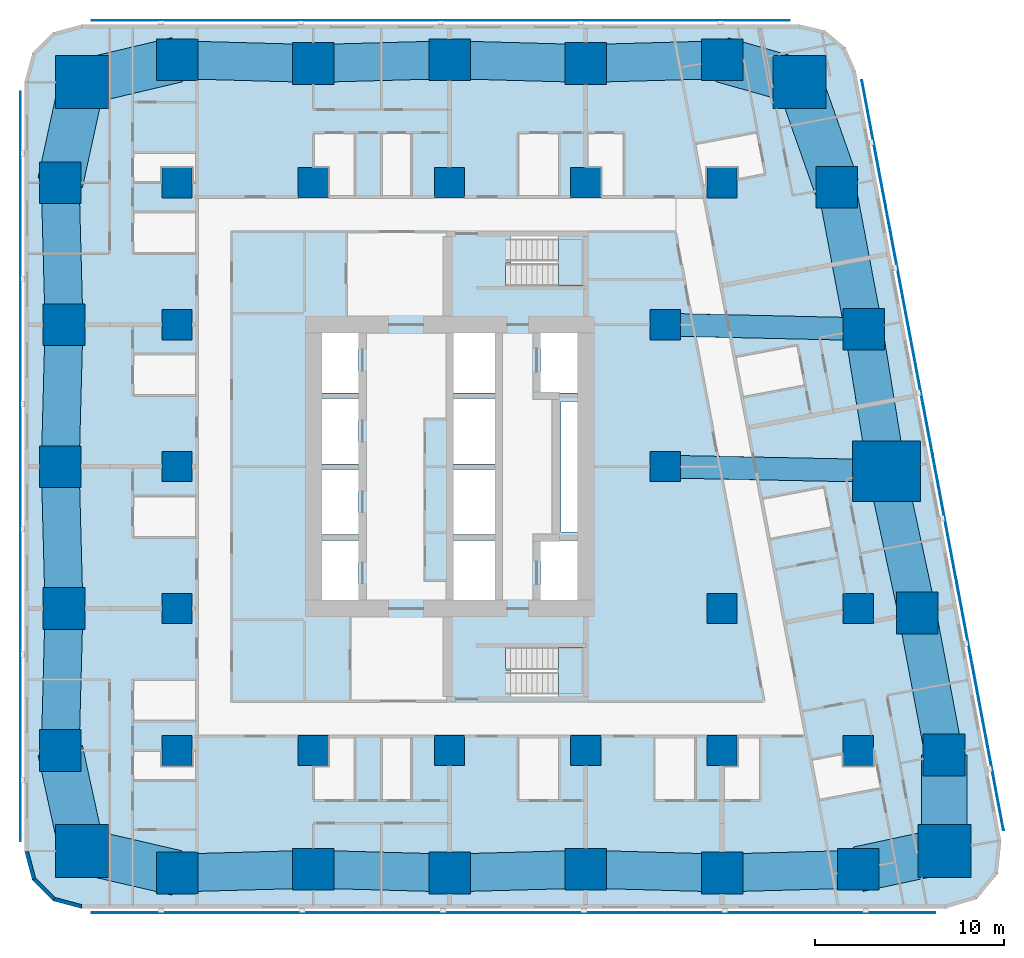
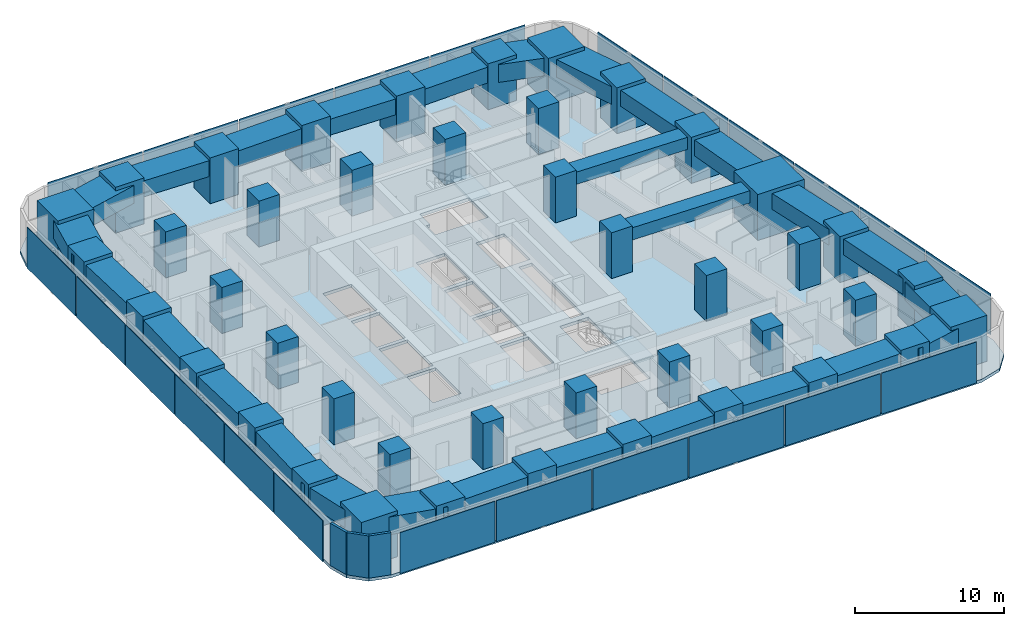
# One storey, part 1 of 14: 43 columns, 27 beams, 23 plates, 3 slabs, 3 walls, 2 elements without a shape of their own.
"""IFC4 building model written with IfcOpenShell, lengths in metres."""

from ifc_helpers import new_model, si_unit, direction, frame, frame_2d, origin, origin_2d, place, context, subcontext, project, spatial, polyline, rectangle, outline, extrude, material, layer, layer_set, material_profile, profile_set, type_object, element, aggregate, save


model = new_model("IFC4")

# Units and contexts
model_context = context("Model", 3, precision=1e-05, world=origin(), true_north=direction((0.0, 1.0)))
body_context = subcontext(model_context, "Body", "Model", "MODEL_VIEW")
ifc_project = project(units=[si_unit("LENGTHUNIT", "METRE"), si_unit("AREAUNIT", "SQUARE_METRE"), si_unit("VOLUMEUNIT", "CUBIC_METRE"), si_unit("PLANEANGLEUNIT", "RADIAN"), si_unit("MASSUNIT", "GRAM", prefix="KILO")], contexts=[model_context])

# Site, building, storey
site_placement = place(None, origin())
site = spatial("IfcSite", under=ifc_project, at=site_placement, CompositionType="ELEMENT")
building_placement = place(site_placement, origin())
building = spatial("IfcBuilding", under=site, at=building_placement, Name="Sheger Commons Tower", CompositionType="ELEMENT")
storey_placement = place(building_placement, frame((0.0, 0.0, 126.64990234375)))
storey = spatial("IfcBuildingStorey", under=building, at=storey_placement, Name="L32", CompositionType="ELEMENT", Elevation=126.64990234375)

# Columns
ifc_material_1 = material(Name="Concrete C50/60", Category="concrete")
ifc_material_profile_1 = material_profile(ifc_material_1, rectangle(XDim=3.60009765625, YDim=3.199951171875, at=origin_2d()), Name="RC 3600x3200")
ifc_profile_set_1 = profile_set([ifc_material_profile_1], Name="Concrete C50/60")
column_type_1 = type_object("IfcColumnType", Name="COLUMN PIER RC 3600x3200", PredefinedType="COLUMN", material=ifc_profile_set_1)
column_placement = place(storey_placement, frame((44.697021484375, 22.262939453125, 0.0), z_axis=(0.0, 0.0, 1.0), x_axis=(1.0, 0.0, 0.0)))
element("IfcColumn", 1, at=column_placement, inside=storey, type_object=column_type_1, Name="Pier 7/D+E/D L32", PredefinedType="COLUMN", context=body_context, shape_type="SweptSolid", body=[
    extrude(rectangle(XDim=3.60009765625, YDim=3.199951171875, at=origin_2d()), origin(), (0.0, 0.0, 1.0), 3.75),
])
ifc_material_2 = material(Name="Concrete C50/60", Category="concrete")
ifc_material_profile_2 = material_profile(ifc_material_2, rectangle(XDim=1.60009765625, YDim=1.60009765625, at=origin_2d()), Name="RC 1600x1600")
ifc_profile_set_2 = profile_set([ifc_material_profile_2], Name="Concrete C50/60")
column_type_2 = type_object("IfcColumnType", Name="COLUMN RC 1600x1600", PredefinedType="COLUMN", material=ifc_profile_set_2)
for number, where, z_axis, x_axis, name in (
    (2, (7.199951171875, 7.5, 0.0), (0.0, 0.0, 1.0), (1.0, 0.0, 0.0), "Column 2/B L32"),
    (3, (14.39990234375, 7.5, 0.0), (0.0, 0.0, 1.0), (1.0, 0.0, 0.0), "Column 3/B L32"),
    (4, (21.60009765625, 7.5, 0.0), (0.0, 0.0, 1.0), (1.0, 0.0, 0.0), "Column 4/B L32"),
    (5, (28.800048828125, 7.5, 0.0), (0.0, 0.0, 1.0), (1.0, 0.0, 0.0), "Column 5/B L32"),
    (6, (36.0, 7.5, 0.0), (0.0, 0.0, 1.0), (1.0, 0.0, 0.0), "Column 6/B L32"),
    (7, (43.199951171875, 7.5, 0.0), (0.0, 0.0, 1.0), (1.0, 0.0, 0.0), "Column 7/B L32"),
    (8, (7.199951171875, 15.0, 0.0), (0.0, 0.0, 1.0), (1.0, 0.0, 0.0), "Column 2/C L32"),
    (9, (36.0, 15.0, 0.0), (0.0, 0.0, 1.0), (1.0, 0.0, 0.0), "Column 6/C L32"),
    (10, (43.199951171875, 15.0, 0.0), (0.0, 0.0, 1.0), (1.0, 0.0, 0.0), "Column 7/C L32"),
    (11, (7.199951171875, 22.5, 0.0), (0.0, 0.0, 1.0), (1.0, 0.0, 0.0), "Column 2/D L32"),
    (12, (33.0, 22.5, 0.0), (0.0, 0.0, 1.0), (1.0, 0.0, 0.0), "Column 6-3000/D L32"),
    (13, (7.199951171875, 30.0, 0.0), (0.0, 0.0, 1.0), (1.0, 0.0, 0.0), "Column 2/E L32"),
    (14, (33.0, 30.0, 0.0), (0.0, 0.0, 1.0), (1.0, 0.0, 0.0), "Column 6-3000/E L32"),
    (15, (7.199951171875, 37.5, 0.0), (0.0, 0.0, 1.0), (1.0, 0.0, 0.0), "Column 2/F L32"),
    (16, (14.39990234375, 37.5, 0.0), (0.0, 0.0, 1.0), (1.0, 0.0, 0.0), "Column 3/F L32"),
    (17, (21.60009765625, 37.5, 0.0), (0.0, 0.0, 1.0), (1.0, 0.0, 0.0), "Column 4/F L32"),
    (18, (28.800048828125, 37.5, 0.0), (0.0, 0.0, 1.0), (1.0, 0.0, 0.0), "Column 5/F L32"),
    (19, (36.0, 37.5, 0.0), (0.0, 0.0, 1.0), (1.0, 0.0, 0.0), "Column 6/F L32"),
):
    element("IfcColumn", number, at=place(storey_placement, frame(where, z_axis=z_axis, x_axis=x_axis)), inside=storey, type_object=column_type_2, Name=name, PredefinedType="COLUMN", context=body_context, shape_type="SweptSolid", body=[
        extrude(rectangle(XDim=1.60009765625, YDim=1.60009765625, at=origin_2d()), origin(), (0.0, 0.0, 1.0), 3.75),
    ])
ifc_material_3 = material(Name="Concrete C50/60", Category="concrete")
ifc_material_profile_3 = material_profile(ifc_material_3, rectangle(XDim=2.199951171875, YDim=2.199951171875, at=origin_2d()), Name="RC 2200x2200")
ifc_profile_set_3 = profile_set([ifc_material_profile_3], Name="Concrete C50/60")
column_type_3 = type_object("IfcColumnType", Name="COLUMN RC 2200x2200", PredefinedType="COLUMN", material=ifc_profile_set_3)
for number, where, z_axis, x_axis, name in (
    (20, (7.199951171875, 1.02490234375, 0.0), (0.0, 0.0, 1.0), (1.0, 0.0, 0.0), "Column 2/A L32"),
    (21, (14.39990234375, 1.22509765625, 0.0), (0.0, 0.0, 1.0), (1.0, 0.0, 0.0), "Column 3/A L32"),
    (22, (21.60009765625, 1.02490234375, 0.0), (0.0, 0.0, 1.0), (1.0, 0.0, 0.0), "Column 4/A L32"),
    (23, (28.800048828125, 1.22509765625, 0.0), (0.0, 0.0, 1.0), (1.0, 0.0, 0.0), "Column 5/A L32"),
    (24, (36.0, 1.02490234375, 0.0), (0.0, 0.0, 1.0), (1.0, 0.0, 0.0), "Column 6/A L32"),
    (25, (43.199951171875, 1.22509765625, 0.0), (0.0, 0.0, 1.0), (1.0, 0.0, 0.0), "Column 7/A L32"),
    (26, (1.02490234375, 7.5, 0.0), (0.0, 0.0, 1.0), (1.0, 0.0, 0.0), "Column 1/B L32"),
    (27, (47.72998046875, 7.262939453125, 0.0), (0.0, 0.0, 1.0), (1.0, 0.0, 0.0), "Column E/B L32"),
    (28, (1.22509765625, 15.0, 0.0), (0.0, 0.0, 1.0), (1.0, 0.0, 0.0), "Column 1/C L32"),
    (29, (46.31396484375, 14.762939453125, 0.0), (0.0, 0.0, 1.0), (1.0, 0.0, 0.0), "Column E/C L32"),
    (30, (1.02490234375, 22.5, 0.0), (0.0, 0.0, 1.0), (1.0, 0.0, 0.0), "Column 1/D L32"),
    (31, (1.22509765625, 30.0, 0.0), (0.0, 0.0, 1.0), (1.0, 0.0, 0.0), "Column 1/E L32"),
    (32, (43.47998046875, 29.762939453125, 0.0), (0.0, 0.0, 1.0), (1.0, 0.0, 0.0), "Column E/E L32"),
    (33, (1.02490234375, 37.5, 0.0), (0.0, 0.0, 1.0), (1.0, 0.0, 0.0), "Column 1/F L32"),
    (34, (42.06396484375, 37.262939453125, 0.0), (0.0, 0.0, 1.0), (1.0, 0.0, 0.0), "Column E/F L32"),
    (35, (7.199951171875, 44.0, 0.0), (0.0, 0.0, 1.0), (1.0, 0.0, 0.0), "Column 2/G L32"),
    (36, (14.39990234375, 43.800048828125, 0.0), (0.0, 0.0, 1.0), (1.0, 0.0, 0.0), "Column 3/G L32"),
    (37, (21.60009765625, 44.0, 0.0), (0.0, 0.0, 1.0), (1.0, 0.0, 0.0), "Column 4/G L32"),
    (38, (28.800048828125, 43.800048828125, 0.0), (0.0, 0.0, 1.0), (1.0, 0.0, 0.0), "Column 5/G L32"),
    (39, (36.0, 44.0, 0.0), (0.0, 0.0, 1.0), (1.0, 0.0, 0.0), "Column 6/G L32"),
):
    element("IfcColumn", number, at=place(storey_placement, frame(where, z_axis=z_axis, x_axis=x_axis)), inside=storey, type_object=column_type_3, Name=name, PredefinedType="COLUMN", context=body_context, shape_type="SweptSolid", body=[
        extrude(rectangle(XDim=2.199951171875, YDim=2.199951171875, at=origin_2d()), origin(), (0.0, 0.0, 1.0), 3.75),
    ])
ifc_material_4 = material(Name="Concrete C50/60", Category="concrete")
ifc_material_profile_4 = material_profile(ifc_material_4, rectangle(XDim=2.800048828125, YDim=2.800048828125, at=origin_2d()), Name="RC 2800x2800")
ifc_profile_set_4 = profile_set([ifc_material_profile_4], Name="Concrete C50/60")
column_type_4 = type_object("IfcColumnType", Name="COLUMN RC 2800x2800", PredefinedType="COLUMN", material=ifc_profile_set_4)
for number, where, z_axis, x_axis, name in (
    (40, (2.18603515625, 2.18603515625, 0.0), (0.0, 0.0, 1.0), (1.0, 0.0, 0.0), "Column 0.630,0.630 L32"),
    (41, (47.748046875, 2.197021484375, 0.0), (0.0, 0.0, 1.0), (1.0, 0.0, 0.0), "Column 49.461,0.778 L32"),
    (42, (2.18603515625, 42.81396484375, 0.0), (0.0, 0.0, 1.0), (1.0, 0.0, 0.0), "Column 0.630,44.370 L32"),
    (43, (40.10205078125, 42.830078125, 0.0), (0.0, 0.0, 1.0), (1.0, 0.0, 0.0), "Column 41.490,44.505 L32"),
):
    element("IfcColumn", number, at=place(storey_placement, frame(where, z_axis=z_axis, x_axis=x_axis)), inside=storey, type_object=column_type_4, Name=name, PredefinedType="COLUMN", context=body_context, shape_type="SweptSolid", body=[
        extrude(rectangle(XDim=2.800048828125, YDim=2.800048828125, at=origin_2d()), origin(), (0.0, 0.0, 1.0), 3.75),
    ])

# Beams
ifc_material_5 = material(Name="Concrete C50/60", Category="concrete")
ifc_material_profile_5 = material_profile(ifc_material_5, rectangle(XDim=1.199951171875, YDim=1.0, at=origin_2d()), Name="RC 1200x1000")
ifc_profile_set_5 = profile_set([ifc_material_profile_5], Name="Concrete C50/60")
beam_type_1 = type_object("IfcBeamType", Name="BEAM RC 1200x1000", PredefinedType="BEAM", material=ifc_profile_set_5)
beam_1_placement = place(storey_placement, frame((33.0, 22.5, 2.9501953125), z_axis=(0.999794692776, -0.02026258368, 0.0), x_axis=(0.02026258368, 0.999794692776, 0.0)))
element("IfcBeam", 44, at=beam_1_placement, inside=storey, type_object=beam_type_1, Name="Beam 6-3000/D-7/D under L33", PredefinedType="BEAM", context=body_context, shape_type="SweptSolid", body=[
    extrude(rectangle(XDim=1.199951171875, YDim=1.0, at=origin_2d()), origin(), (0.0, 0.0, 1.0), 11.699462890625),
])
beam_2_placement = place(storey_placement, frame((33.0, 30.0, 2.9501953125), z_axis=(0.999744258625, -0.022614538395, 0.0), x_axis=(0.022614538395, 0.999744258625, 0.0)))
element("IfcBeam", 45, at=beam_2_placement, inside=storey, type_object=beam_type_1, Name="Beam 6-3000/E-E/E under L33", PredefinedType="BEAM", context=body_context, shape_type="SweptSolid", body=[
    extrude(rectangle(XDim=1.199951171875, YDim=1.0, at=origin_2d()), origin(), (0.0, 0.0, 1.0), 10.482666015625),
])
ifc_material_6 = material(Name="Concrete C50/60", Category="concrete")
ifc_material_profile_6 = material_profile(ifc_material_6, rectangle(XDim=2.0, YDim=1.300048828125, at=origin_2d()), Name="RC 2000x1300")
ifc_profile_set_6 = profile_set([ifc_material_profile_6], Name="Concrete C50/60")
beam_type_2 = type_object("IfcBeamType", Name="SPANDREL RC 2000x1300", PredefinedType="SPANDREL", material=ifc_profile_set_6)
beam_3_placement = place(storey_placement, frame((7.199951171875, 1.02490234375, 2.800048828125), z_axis=(0.9996136624, 0.027794350926, 0.0), x_axis=(-0.027794350926, 0.9996136624, 0.0)))
element("IfcBeam", 46, at=beam_3_placement, inside=storey, type_object=beam_type_2, Name="Beam 2/A-3/A under L33", PredefinedType="SPANDREL", context=body_context, shape_type="SweptSolid", body=[
    extrude(rectangle(XDim=2.0, YDim=1.300048828125, at=origin_2d()), origin(), (0.0, 0.0, 1.0), 7.20263671875),
])
beam_4_placement = place(storey_placement, frame((14.39990234375, 1.22509765625, 2.800048828125), z_axis=(0.999613688584, -0.027793409217, 0.0), x_axis=(0.027793409217, 0.999613688584, 0.0)))
element("IfcBeam", 47, at=beam_4_placement, inside=storey, type_object=beam_type_2, Name="Beam 3/A-4/A under L33", PredefinedType="SPANDREL", context=body_context, shape_type="SweptSolid", body=[
    extrude(rectangle(XDim=2.0, YDim=1.300048828125, at=origin_2d()), origin(), (0.0, 0.0, 1.0), 7.202880859375),
])
for number, where, z_axis, x_axis, name in (
    (48, (21.60009765625, 1.02490234375, 2.800048828125), (0.9996136624, 0.027794350926, 0.0), (-0.027794350926, 0.9996136624, 0.0), "Beam 4/A-5/A under L33"),
    (49, (28.800048828125, 1.22509765625, 2.800048828125), (0.9996136624, -0.027794350926, 0.0), (0.027794350926, 0.9996136624, 0.0), "Beam 5/A-6/A under L33"),
    (50, (36.0, 1.02490234375, 2.800048828125), (0.9996136624, 0.027794350926, 0.0), (-0.027794350926, 0.9996136624, 0.0), "Beam 6/A-7/A under L33"),
):
    element("IfcBeam", number, at=place(storey_placement, frame(where, z_axis=z_axis, x_axis=x_axis)), inside=storey, type_object=beam_type_2, Name=name, PredefinedType="SPANDREL", context=body_context, shape_type="SweptSolid", body=[
        extrude(rectangle(XDim=2.0, YDim=1.300048828125, at=origin_2d()), origin(), (0.0, 0.0, 1.0), 7.20263671875),
    ])
beam_5_placement = place(storey_placement, frame((47.72998046875, 7.262939453125, 2.800048828125), z_axis=(-0.18552441405, 0.982639655108, 0.0), x_axis=(-0.982639655108, -0.18552441405, 0.0)))
element("IfcBeam", 51, at=beam_5_placement, inside=storey, type_object=beam_type_2, Name="Beam E/B-E/C under L33", PredefinedType="SPANDREL", context=body_context, shape_type="SweptSolid", body=[
    extrude(rectangle(XDim=2.0, YDim=1.300048828125, at=origin_2d()), origin(), (0.0, 0.0, 1.0), 7.632568359375),
])
beam_6_placement = place(storey_placement, frame((46.31396484375, 14.762939453125, 2.800048828125), z_axis=(-0.210750229323, 0.977539943348, 0.0), x_axis=(-0.977539943348, -0.210750229323, 0.0)))
element("IfcBeam", 52, at=beam_6_placement, inside=storey, type_object=beam_type_2, Name="Beam E/C-E/D under L33", PredefinedType="SPANDREL", context=body_context, shape_type="SweptSolid", body=[
    extrude(rectangle(XDim=2.0, YDim=1.300048828125, at=origin_2d()), origin(), (0.0, 0.0, 1.0), 7.67236328125),
])
beam_7_placement = place(storey_placement, frame((44.697021484375, 22.262939453125, 2.800048828125), z_axis=(-0.160176929512, 0.987088319884, 0.0), x_axis=(-0.987088319884, -0.160176929512, 0.0)))
element("IfcBeam", 53, at=beam_7_placement, inside=storey, type_object=beam_type_2, Name="Beam E/D-E/E under L33", PredefinedType="SPANDREL", context=body_context, shape_type="SweptSolid", body=[
    extrude(rectangle(XDim=2.0, YDim=1.300048828125, at=origin_2d()), origin(), (0.0, 0.0, 1.0), 7.59814453125),
])
beam_8_placement = place(storey_placement, frame((43.47998046875, 29.762939453125, 2.800048828125), z_axis=(-0.18552441405, 0.982639655108, 0.0), x_axis=(-0.982639655108, -0.18552441405, 0.0)))
element("IfcBeam", 54, at=beam_8_placement, inside=storey, type_object=beam_type_2, Name="Beam E/E-E/F under L33", PredefinedType="SPANDREL", context=body_context, shape_type="SweptSolid", body=[
    extrude(rectangle(XDim=2.0, YDim=1.300048828125, at=origin_2d()), origin(), (0.0, 0.0, 1.0), 7.632568359375),
])
for number, where, z_axis, x_axis, name in (
    (55, (36.0, 44.0, 2.800048828125), (-0.999614603568, -0.027760481514, 0.0), (0.027760481514, -0.999614603568, 0.0), "Beam 6/G-5/G under L33"),
    (56, (28.800048828125, 43.800048828125, 2.800048828125), (-0.999614603568, 0.027760481514, 0.0), (-0.027760481514, -0.999614603568, 0.0), "Beam 5/G-4/G under L33"),
):
    element("IfcBeam", number, at=place(storey_placement, frame(where, z_axis=z_axis, x_axis=x_axis)), inside=storey, type_object=beam_type_2, Name=name, PredefinedType="SPANDREL", context=body_context, shape_type="SweptSolid", body=[
        extrude(rectangle(XDim=2.0, YDim=1.300048828125, at=origin_2d()), origin(), (0.0, 0.0, 1.0), 7.20263671875),
    ])
beam_9_placement = place(storey_placement, frame((21.60009765625, 44.0, 2.800048828125), z_axis=(-0.999614629688, -0.027759540951, 0.0), x_axis=(0.027759540951, -0.999614629688, 0.0)))
element("IfcBeam", 57, at=beam_9_placement, inside=storey, type_object=beam_type_2, Name="Beam 4/G-3/G under L33", PredefinedType="SPANDREL", context=body_context, shape_type="SweptSolid", body=[
    extrude(rectangle(XDim=2.0, YDim=1.300048828125, at=origin_2d()), origin(), (0.0, 0.0, 1.0), 7.202880859375),
])
beam_10_placement = place(storey_placement, frame((14.39990234375, 43.800048828125, 2.800048828125), z_axis=(-0.999614603568, 0.027760481514, 0.0), x_axis=(-0.027760481514, -0.999614603568, 0.0)))
element("IfcBeam", 58, at=beam_10_placement, inside=storey, type_object=beam_type_2, Name="Beam 3/G-2/G under L33", PredefinedType="SPANDREL", context=body_context, shape_type="SweptSolid", body=[
    extrude(rectangle(XDim=2.0, YDim=1.300048828125, at=origin_2d()), origin(), (0.0, 0.0, 1.0), 7.20263671875),
])
for number, where, z_axis, x_axis, name in (
    (59, (1.02490234375, 37.5, 2.800048828125), (0.026683204125, -0.999643939919, 0.0), (0.999643939919, 0.026683204125, 0.0), "Beam 1/F-1/E under L33"),
    (60, (1.22509765625, 30.0, 2.800048828125), (-0.026683204125, -0.999643939919, 0.0), (0.999643939919, -0.026683204125, 0.0), "Beam 1/E-1/D under L33"),
    (61, (1.02490234375, 22.5, 2.800048828125), (0.026683204125, -0.999643939919, 0.0), (0.999643939919, 0.026683204125, 0.0), "Beam 1/D-1/C under L33"),
    (62, (1.22509765625, 15.0, 2.800048828125), (-0.026683204125, -0.999643939919, 0.0), (0.999643939919, -0.026683204125, 0.0), "Beam 1/C-1/B under L33"),
):
    element("IfcBeam", number, at=place(storey_placement, frame(where, z_axis=z_axis, x_axis=x_axis)), inside=storey, type_object=beam_type_2, Name=name, PredefinedType="SPANDREL", context=body_context, shape_type="SweptSolid", body=[
        extrude(rectangle(XDim=2.0, YDim=1.300048828125, at=origin_2d()), origin(), (0.0, 0.0, 1.0), 7.502685546875),
    ])
ifc_material_7 = material(Name="Concrete C50/60", Category="concrete")
ifc_material_profile_7 = material_profile(ifc_material_7, rectangle(XDim=2.39990234375, YDim=1.449951171875, at=origin_2d()), Name="RC 2400x1450")
ifc_profile_set_7 = profile_set([ifc_material_profile_7], Name="Concrete C50/60")
beam_type_3 = type_object("IfcBeamType", Name="SPANDREL RC 2400x1450", PredefinedType="SPANDREL", material=ifc_profile_set_7)
beam_11_placement = place(storey_placement, frame((2.18603515625, 2.18603515625, 2.72509765625), z_axis=(0.974217413499, -0.225611239159, 0.0), x_axis=(0.225611239159, 0.974217413499, 0.0)))
element("IfcBeam", 63, at=beam_11_placement, inside=storey, type_object=beam_type_3, Name="Beam 0.630,0.630-2/A under L33", PredefinedType="SPANDREL", context=body_context, shape_type="SweptSolid", body=[
    extrude(rectangle(XDim=2.39990234375, YDim=1.449951171875, at=origin_2d()), origin(), (0.0, 0.0, 1.0), 5.146728515625),
])
beam_12_placement = place(storey_placement, frame((43.199951171875, 1.22509765625, 2.72509765625), z_axis=(0.977919796671, 0.208980552394, 0.0), x_axis=(-0.208980552394, 0.977919796671, 0.0)))
element("IfcBeam", 64, at=beam_12_placement, inside=storey, type_object=beam_type_3, Name="Beam 7/A-49.461,0.778 under L33", PredefinedType="SPANDREL", context=body_context, shape_type="SweptSolid", body=[
    extrude(rectangle(XDim=2.39990234375, YDim=1.449951171875, at=origin_2d()), origin(), (0.0, 0.0, 1.0), 4.65087890625),
])
beam_13_placement = place(storey_placement, frame((47.748046875, 2.197021484375, 2.72509765625), z_axis=(-0.003566242382, 0.999993640937, 0.0), x_axis=(-0.999993640937, -0.003566242382, 0.0)))
element("IfcBeam", 65, at=beam_13_placement, inside=storey, type_object=beam_type_3, Name="Beam 49.461,0.778-E/B under L33", PredefinedType="SPANDREL", context=body_context, shape_type="SweptSolid", body=[
    extrude(rectangle(XDim=2.39990234375, YDim=1.449951171875, at=origin_2d()), origin(), (0.0, 0.0, 1.0), 5.06591796875),
])
beam_14_placement = place(storey_placement, frame((42.06396484375, 37.262939453125, 2.72509765625), z_axis=(-0.332374403357, 0.943147526102, 0.0), x_axis=(-0.943147526102, -0.332374403357, 0.0)))
element("IfcBeam", 66, at=beam_14_placement, inside=storey, type_object=beam_type_3, Name="Beam E/F-41.490,44.505 under L33", PredefinedType="SPANDREL", context=body_context, shape_type="SweptSolid", body=[
    extrude(rectangle(XDim=2.39990234375, YDim=1.449951171875, at=origin_2d()), origin(), (0.0, 0.0, 1.0), 5.90283203125),
])
beam_15_placement = place(storey_placement, frame((40.10205078125, 42.830078125, 2.72509765625), z_axis=(-0.961653428129, 0.274267541221, 0.0), x_axis=(-0.274267541221, -0.961653428129, 0.0)))
element("IfcBeam", 67, at=beam_15_placement, inside=storey, type_object=beam_type_3, Name="Beam 41.490,44.505-6/G under L33", PredefinedType="SPANDREL", context=body_context, shape_type="SweptSolid", body=[
    extrude(rectangle(XDim=2.39990234375, YDim=1.449951171875, at=origin_2d()), origin(), (0.0, 0.0, 1.0), 4.265625),
])
beam_16_placement = place(storey_placement, frame((7.199951171875, 44.0, 2.72509765625), z_axis=(-0.97314428949, -0.230195985701, 0.0), x_axis=(0.230195985701, -0.97314428949, 0.0)))
element("IfcBeam", 68, at=beam_16_placement, inside=storey, type_object=beam_type_3, Name="Beam 2/G-0.630,44.370 under L33", PredefinedType="SPANDREL", context=body_context, shape_type="SweptSolid", body=[
    extrude(rectangle(XDim=2.39990234375, YDim=1.449951171875, at=origin_2d()), origin(), (0.0, 0.0, 1.0), 5.15234375),
])
for number, where, z_axis, x_axis, name in (
    (69, (2.18603515625, 42.81396484375, 2.72509765625), (-0.213469314652, -0.976949769283, 0.0), (0.976949769283, -0.213469314652, 0.0), "Beam 0.630,44.370-1/F under L33"),
    (70, (1.02490234375, 7.5, 2.72509765625), (0.213469314652, -0.976949769283, 0.0), (0.976949769283, 0.213469314652, 0.0), "Beam 1/B-0.630,0.630 under L33"),
):
    element("IfcBeam", number, at=place(storey_placement, frame(where, z_axis=z_axis, x_axis=x_axis)), inside=storey, type_object=beam_type_3, Name=name, PredefinedType="SPANDREL", context=body_context, shape_type="SweptSolid", body=[
        extrude(rectangle(XDim=2.39990234375, YDim=1.449951171875, at=origin_2d()), origin(), (0.0, 0.0, 1.0), 5.439453125),
    ])

# Slab
ifc_material_8 = material(Name="Concrete C35/45", Category="concrete")
ifc_layer_1 = layer(ifc_material_8, 0.25)
ifc_layer_set_1 = layer_set([ifc_layer_1], Name="SLAB FLOOR 250")
slab_type_1 = type_object("IfcSlabType", Name="SLAB FLOOR 250", PredefinedType="FLOOR", material=ifc_layer_set_1)
slab_1_placement = place(storey_placement, frame((0.0, 0.0, -0.25)))
element("IfcSlab", 71, at=slab_1_placement, inside=storey, type_object=slab_type_1, Name="L32 floor slab", PredefinedType="FLOOR", context=body_context, shape_type="SweptSolid", body=[
    extrude(outline(polyline([(-0.85009765625, 2.14990234375), (-0.447998046875, 0.64990234375), (0.64990234375, -0.447998046875), (2.14990234375, -0.85009765625), (47.805908203125, -0.85009765625), (49.465087890625, -0.35009765625), (50.570068359375, 0.98388671875), (50.75390625, 2.70703125), (43.06591796875, 43.406982421875), (42.509033203125, 44.660888671875), (41.452880859375, 45.535888671875), (40.117919921875, 45.85009765625), (2.14990234375, 45.85009765625), (0.64990234375, 45.447998046875), (-0.447998046875, 44.35009765625), (-0.85009765625, 42.85009765625), (-0.85009765625, 2.14990234375)]), holes=[polyline([(24.85009765625, 10.35009765625), (28.64990234375, 10.35009765625), (28.64990234375, 12.949951171875), (24.551025390625, 12.949951171875), (24.551025390625, 11.75), (24.85009765625, 11.75), (24.85009765625, 10.35009765625)]), polyline([(24.551025390625, 32.050048828125), (28.64990234375, 32.050048828125), (28.64990234375, 34.64990234375), (24.85009765625, 34.64990234375), (24.85009765625, 33.25), (24.551025390625, 33.25), (24.551025390625, 32.050048828125)]), polyline([(26.39990234375, 15.14990234375), (28.60009765625, 15.14990234375), (28.60009765625, 18.60009765625), (26.39990234375, 18.60009765625), (26.39990234375, 15.14990234375)]), polyline([(26.39990234375, 26.39990234375), (28.60009765625, 26.39990234375), (28.60009765625, 29.85009765625), (26.39990234375, 29.85009765625), (26.39990234375, 26.39990234375)]), polyline([(14.60009765625, 15.14990234375), (16.800048828125, 15.14990234375), (16.800048828125, 18.60009765625), (14.60009765625, 18.60009765625), (14.60009765625, 15.14990234375)]), polyline([(14.60009765625, 18.89990234375), (16.800048828125, 18.89990234375), (16.800048828125, 22.35009765625), (14.60009765625, 22.35009765625), (14.60009765625, 18.89990234375)]), polyline([(14.60009765625, 22.64990234375), (16.800048828125, 22.64990234375), (16.800048828125, 26.10009765625), (14.60009765625, 26.10009765625), (14.60009765625, 22.64990234375)]), polyline([(14.60009765625, 26.39990234375), (16.800048828125, 26.39990234375), (16.800048828125, 29.85009765625), (14.60009765625, 29.85009765625), (14.60009765625, 26.39990234375)]), polyline([(21.800048828125, 15.14990234375), (24.0, 15.14990234375), (24.0, 18.60009765625), (21.800048828125, 18.60009765625), (21.800048828125, 15.14990234375)]), polyline([(21.800048828125, 18.89990234375), (24.0, 18.89990234375), (24.0, 22.35009765625), (21.800048828125, 22.35009765625), (21.800048828125, 18.89990234375)]), polyline([(21.800048828125, 22.64990234375), (24.0, 22.64990234375), (24.0, 26.10009765625), (21.800048828125, 26.10009765625), (21.800048828125, 22.64990234375)]), polyline([(21.800048828125, 26.39990234375), (24.0, 26.39990234375), (24.0, 29.85009765625), (21.800048828125, 29.85009765625), (21.800048828125, 26.39990234375)]), polyline([(27.5, 19.050048828125), (28.5, 19.050048828125), (28.5, 25.949951171875), (27.5, 25.949951171875), (27.5, 19.050048828125)])]), origin(), (0.0, 0.0, 1.0), 0.25),
])

# Plates
ifc_material_9 = material(Name="Perforated black anodised aluminium screen", Category="aluminium")
ifc_layer_2 = layer(ifc_material_9, 0.050048828125)
ifc_layer_set_2 = layer_set([ifc_layer_2], Name="SOLAR SCREEN SCREEN-1")
plate_type = type_object("IfcPlateType", Name="SOLAR SCREEN SCREEN-1", PredefinedType="USERDEFINED", material=ifc_layer_set_2)
for number, where, z_axis, x_axis, name in (
    (72, (6.37109375, -1.074951171875, 0.050048828125), (0.0, 0.0, 1.0), (1.0, 0.0, 0.0), "Perforated solar screen panel"),
    (73, (13.81396484375, -1.074951171875, 0.050048828125), (0.0, 0.0, 1.0), (1.0, 0.0, 0.0), "Perforated solar screen panel"),
    (74, (21.257080078125, -1.074951171875, 0.050048828125), (0.0, 0.0, 1.0), (1.0, 0.0, 0.0), "Perforated solar screen panel"),
    (75, (28.698974609375, -1.074951171875, 0.050048828125), (0.0, 0.0, 1.0), (1.0, 0.0, 0.0), "Perforated solar screen panel"),
    (76, (36.14208984375, -1.074951171875, 0.050048828125), (0.0, 0.0, 1.0), (1.0, 0.0, 0.0), "Perforated solar screen panel"),
    (77, (43.5849609375, -1.074951171875, 0.050048828125), (0.0, 0.0, 1.0), (1.0, 0.0, 0.0), "Perforated solar screen panel"),
):
    element("IfcPlate", number, at=place(storey_placement, frame(where, z_axis=z_axis, x_axis=x_axis)), inside=storey, type_object=plate_type, Name=name, ObjectType="SCREEN", PredefinedType="USERDEFINED", context=body_context, shape_type="SweptSolid", body=[
        extrude(rectangle(XDim=7.343017578125, YDim=0.050048828125, at=origin_2d()), origin(), (0.0, 0.0, 1.0), 3.35009765625),
    ])
for number, where, z_axis, x_axis, name in (
    (78, (50.257080078125, 6.550048828125, 0.050048828125), (0.0, 0.0, 1.0), (-0.185615165645, 0.982622516678, 0.0), "Perforated solar screen panel"),
    (79, (49.007080078125, 13.1689453125, 0.050048828125), (0.0, 0.0, 1.0), (-0.185615165645, 0.982622516678, 0.0), "Perforated solar screen panel"),
    (80, (47.756103515625, 19.7890625, 0.050048828125), (0.0, 0.0, 1.0), (-0.185615165645, 0.982622516678, 0.0), "Perforated solar screen panel"),
    (81, (46.506103515625, 26.408935546875, 0.050048828125), (0.0, 0.0, 1.0), (-0.185615165645, 0.982622516678, 0.0), "Perforated solar screen panel"),
    (82, (45.2548828125, 33.028076171875, 0.050048828125), (0.0, 0.0, 1.0), (-0.185615165645, 0.982622516678, 0.0), "Perforated solar screen panel"),
    (83, (44.0048828125, 39.64794921875, 0.050048828125), (0.0, 0.0, 1.0), (-0.185615165645, 0.982622516678, 0.0), "Perforated solar screen panel"),
):
    element("IfcPlate", number, at=place(storey_placement, frame(where, z_axis=z_axis, x_axis=x_axis)), inside=storey, type_object=plate_type, Name=name, ObjectType="SCREEN", PredefinedType="USERDEFINED", context=body_context, shape_type="SweptSolid", body=[
        extrude(rectangle(XDim=6.636962890625, YDim=0.050048828125, at=origin_2d()), origin(), (0.0, 0.0, 1.0), 3.35009765625),
    ])
for number, where, z_axis, x_axis, name in (
    (84, (35.9208984375, 46.074951171875, 0.050048828125), (0.0, 0.0, 1.0), (-1.0, 0.0, 0.0), "Perforated solar screen panel"),
    (85, (28.528076171875, 46.074951171875, 0.050048828125), (0.0, 0.0, 1.0), (-1.0, 0.0, 0.0), "Perforated solar screen panel"),
    (86, (21.134033203125, 46.074951171875, 0.050048828125), (0.0, 0.0, 1.0), (-1.0, 0.0, 0.0), "Perforated solar screen panel"),
    (87, (13.739990234375, 46.074951171875, 0.050048828125), (0.0, 0.0, 1.0), (-1.0, 0.0, 0.0), "Perforated solar screen panel"),
    (88, (6.346923828125, 46.074951171875, 0.050048828125), (0.0, 0.0, 1.0), (-1.0, 0.0, 0.0), "Perforated solar screen panel"),
):
    element("IfcPlate", number, at=place(storey_placement, frame(where, z_axis=z_axis, x_axis=x_axis)), inside=storey, type_object=plate_type, Name=name, ObjectType="SCREEN", PredefinedType="USERDEFINED", context=body_context, shape_type="SweptSolid", body=[
        extrude(rectangle(XDim=7.2939453125, YDim=0.050048828125, at=origin_2d()), origin(), (0.0, 0.0, 1.0), 3.35009765625),
    ])
for number, where, z_axis, x_axis, name in (
    (89, (-1.074951171875, 39.0419921875, 0.050048828125), (0.0, 0.0, 1.0), (0.0, -1.0, 0.0), "Perforated solar screen panel"),
    (90, (-1.074951171875, 32.425048828125, 0.050048828125), (0.0, 0.0, 1.0), (0.0, -1.0, 0.0), "Perforated solar screen panel"),
    (91, (-1.074951171875, 25.80810546875, 0.050048828125), (0.0, 0.0, 1.0), (0.0, -1.0, 0.0), "Perforated solar screen panel"),
    (92, (-1.074951171875, 19.19189453125, 0.050048828125), (0.0, 0.0, 1.0), (0.0, -1.0, 0.0), "Perforated solar screen panel"),
    (93, (-1.074951171875, 12.574951171875, 0.050048828125), (0.0, 0.0, 1.0), (0.0, -1.0, 0.0), "Perforated solar screen panel"),
    (94, (-1.074951171875, 5.9580078125, 0.050048828125), (0.0, 0.0, 1.0), (0.0, -1.0, 0.0), "Perforated solar screen panel"),
):
    element("IfcPlate", number, at=place(storey_placement, frame(where, z_axis=z_axis, x_axis=x_axis)), inside=storey, type_object=plate_type, Name=name, ObjectType="SCREEN", PredefinedType="USERDEFINED", context=body_context, shape_type="SweptSolid", body=[
        extrude(rectangle(XDim=6.51708984375, YDim=0.050048828125, at=origin_2d()), origin(), (0.0, 0.0, 1.0), 3.35009765625),
    ])

# Stair, slab
ifc_material_10 = material(Name="Concrete C35/45", Category="concrete")
stair_type = type_object("IfcStairType", Name="HALF-TURN STAIR 1200 RISE 3750", PredefinedType="HALF_TURN_STAIR", material=ifc_material_10)
stair_1_placement = place(storey_placement, origin())
stair_1 = element("IfcStair", 95, at=stair_1_placement, inside=storey, type_object=stair_type, Name="Stair S1 L32", PredefinedType="HALF_TURN_STAIR")
ifc_material_11 = material(Name="Concrete C35/45", Category="concrete")
ifc_layer_3 = layer(ifc_material_11, 0.199951171875)
ifc_layer_set_3 = layer_set([ifc_layer_3], Name="STAIR LANDING 200")
slab_type_2 = type_object("IfcSlabType", Name="STAIR LANDING 200", PredefinedType="LANDING", material=ifc_layer_set_3)
slab_2_placement = place(storey_placement, frame((0.0, 0.0, 1.675048828125)))
slab_2 = element("IfcSlab", 96, at=slab_2_placement, type_object=slab_type_2, Name="S1 landing 1", PredefinedType="LANDING", context=body_context, shape_type="SweptSolid", body=[
    extrude(outline(polyline([(27.35009765625, 10.199951171875), (28.800048828125, 10.199951171875), (28.800048828125, 12.949951171875), (27.35009765625, 12.949951171875), (27.35009765625, 10.199951171875)])), origin(), (0.0, 0.0, 1.0), 0.199951171875),
])
aggregate(stair_1, [slab_2])

stair_2_placement = place(storey_placement, origin())
stair_2 = element("IfcStair", 97, at=stair_2_placement, inside=storey, type_object=stair_type, Name="Stair S2 L32", PredefinedType="HALF_TURN_STAIR")
slab_3_placement = place(storey_placement, frame((0.0, 0.0, 1.675048828125)))
slab_3 = element("IfcSlab", 98, at=slab_3_placement, type_object=slab_type_2, Name="S2 landing 1", PredefinedType="LANDING", context=body_context, shape_type="SweptSolid", body=[
    extrude(outline(polyline([(27.35009765625, 32.050048828125), (28.800048828125, 32.050048828125), (28.800048828125, 34.800048828125), (27.35009765625, 34.800048828125), (27.35009765625, 32.050048828125)])), origin(), (0.0, 0.0, 1.0), 0.199951171875),
])
aggregate(stair_2, [slab_3])

# Walls
ifc_material_12 = material(Name="Rendered concrete block masonry, dark grey", Category="masonry")
ifc_layer_4 = layer(ifc_material_12, 0.199951171875)
ifc_layer_set_4 = layer_set([ifc_layer_4], Name="FACADE WALL 200")
wall_type = type_object("IfcWallType", Name="FACADE WALL 200", PredefinedType="SOLIDWALL", material=ifc_layer_set_4)
wall_1_placement = place(storey_placement, frame((-0.75, 2.1630859375, 0.0), z_axis=(0.0, 0.0, 1.0), x_axis=(0.259168954497, -0.965832000415, 0.0)))
element("IfcWall", 99, at=wall_1_placement, inside=storey, type_object=wall_type, Name="Facade wall L32", PredefinedType="SOLIDWALL", context=body_context, shape_type="SweptSolid", body=[
    extrude(rectangle(XDim=1.512939453125, YDim=0.199951171875, at=frame_2d((0.75634765625, 0.0))), origin(), (0.0, 0.0, 1.0), 3.4501953125),
])
wall_2_placement = place(storey_placement, frame((-0.35791015625, 0.701904296875, 0.0), z_axis=(0.0, 0.0, 1.0), x_axis=(0.707106781187, -0.707106781187, 0.0)))
element("IfcWall", 100, at=wall_2_placement, inside=storey, type_object=wall_type, Name="Facade wall L32", PredefinedType="SOLIDWALL", context=body_context, shape_type="SweptSolid", body=[
    extrude(rectangle(XDim=1.498779296875, YDim=0.199951171875, at=frame_2d((0.74951171875, 0.0))), origin(), (0.0, 0.0, 1.0), 3.4501953125),
])
wall_3_placement = place(storey_placement, frame((0.701904296875, -0.35791015625, 0.0), z_axis=(0.0, 0.0, 1.0), x_axis=(0.965832000415, -0.259168954497, 0.0)))
element("IfcWall", 101, at=wall_3_placement, inside=storey, type_object=wall_type, Name="Facade wall L32", PredefinedType="SOLIDWALL", context=body_context, shape_type="SweptSolid", body=[
    extrude(rectangle(XDim=1.512939453125, YDim=0.199951171875, at=frame_2d((0.75634765625, 0.0))), origin(), (0.0, 0.0, 1.0), 3.4501953125),
])

save(model, "model.ifc")
